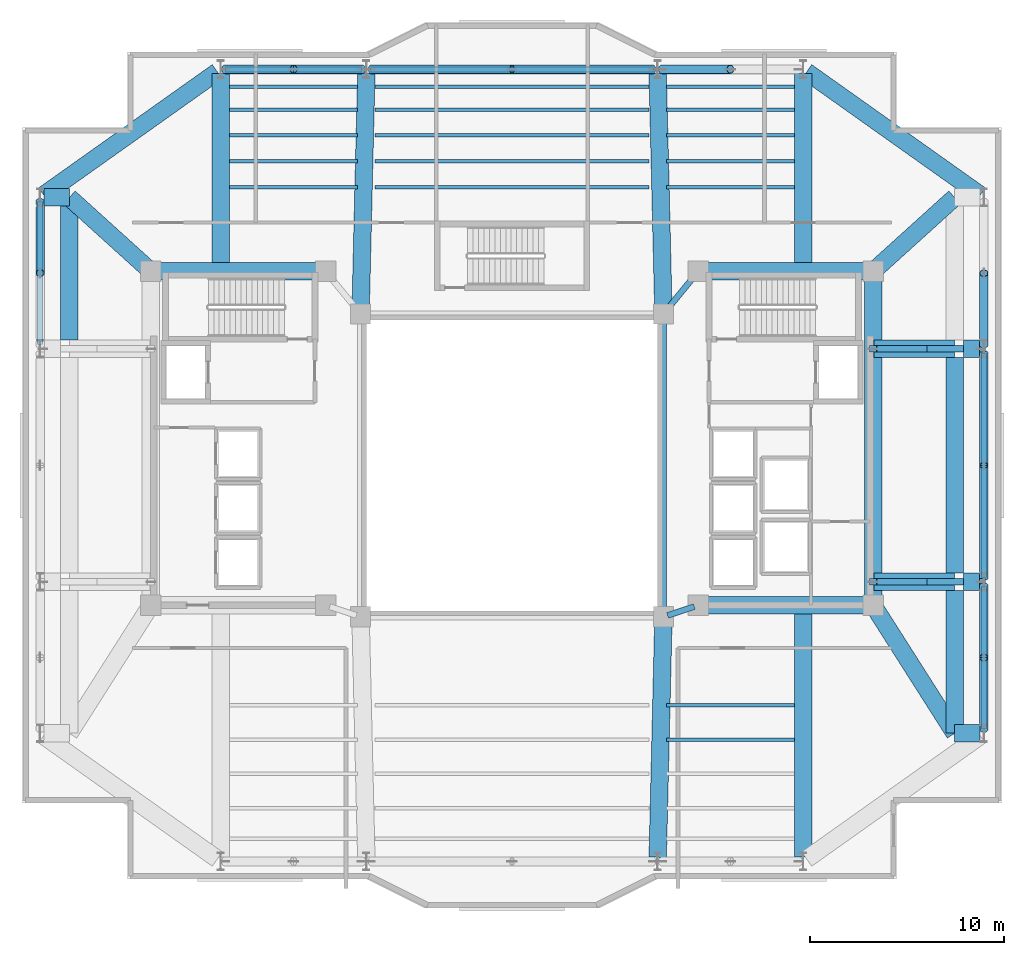
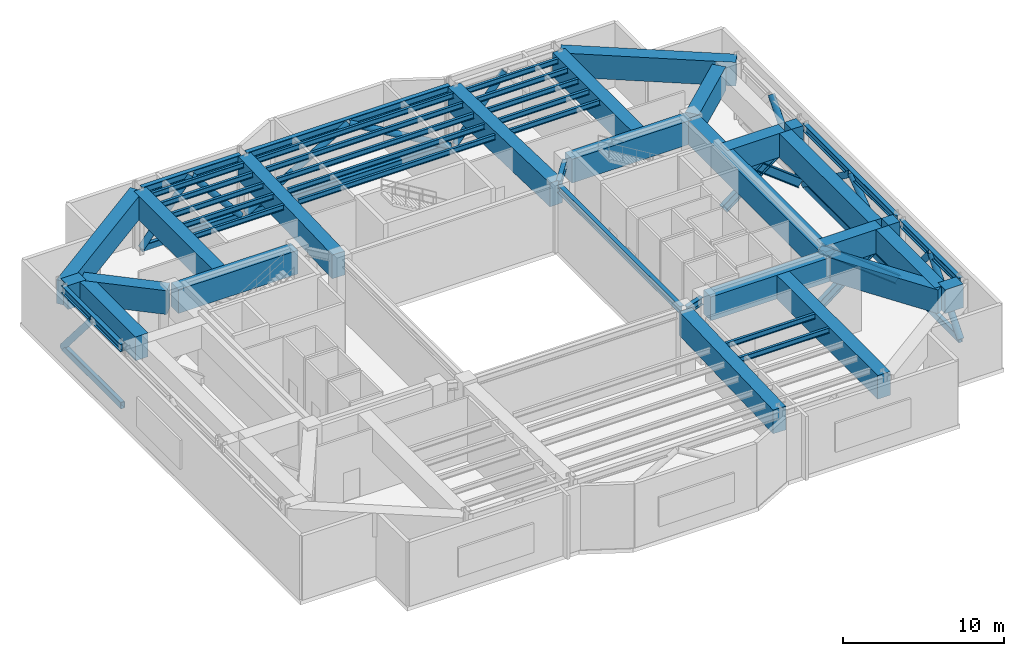
# One storey, part 2 of 13: 49 beams, 20 members.
"""IFC4 building model written with IfcOpenShell, lengths in metres."""

from ifc_helpers import new_model, si_unit, direction, frame, origin, origin_2d, place, context, subcontext, project, spatial, rectangle, hollow_rectangle, hollow_circle, i_section, extrude, material, material_profile, profile_set, type_object, element, save


model = new_model("IFC4")

# Units and contexts
model_context = context("Model", 3, precision=1e-05, world=origin(), true_north=direction((0.0, 1.0)))
body_context = subcontext(model_context, "Body", "Model", "MODEL_VIEW")
ifc_project = project(units=[si_unit("LENGTHUNIT", "METRE"), si_unit("AREAUNIT", "SQUARE_METRE"), si_unit("VOLUMEUNIT", "CUBIC_METRE"), si_unit("PLANEANGLEUNIT", "RADIAN"), si_unit("MASSUNIT", "GRAM", prefix="KILO")], contexts=[model_context])

# Site, building, storey
site_placement = place(None, origin())
site = spatial("IfcSite", under=ifc_project, at=site_placement, CompositionType="ELEMENT")
building_placement = place(site_placement, origin())
building = spatial("IfcBuilding", under=site, at=building_placement, Name="Tarnavaz Court Tower", CompositionType="ELEMENT")
storey_placement = place(building_placement, frame((0.0, 0.0, 181.800048828125)))
storey = spatial("IfcBuildingStorey", under=building, at=storey_placement, Name="L49", CompositionType="ELEMENT", Elevation=181.800048828125)

# Beams
ifc_material_1 = material(Name="Steel S460", Category="steel")
ifc_material_profile_1 = material_profile(ifc_material_1, i_section(OverallWidth=0.305908203125, OverallDepth=0.572021484375, WebThickness=0.02099609375, FlangeThickness=0.0400390625, FilletRadius=0.027099609375, at=origin_2d()), Name="HEM 550")
ifc_profile_set_1 = profile_set([ifc_material_profile_1], Name="Steel S460")
beam_type_1 = type_object("IfcBeamType", Name="BM-BT-HEM550", PredefinedType="USERDEFINED", material=ifc_profile_set_1)
beam_1_placement = place(storey_placement, frame((7.800048828125, -7.580078125, 4.56396484375), z_axis=(0.0, 1.0, 0.0), x_axis=(-1.0, 0.0, 0.0)))
element("IfcBeam", 1, at=beam_1_placement, inside=storey, type_object=beam_type_1, Name="L49 Beam IN-IW-SE-IW-NE", ObjectType="GIRDER", PredefinedType="USERDEFINED", context=body_context, shape_type="SweptSolid", body=[
    extrude(i_section(OverallWidth=0.305908203125, OverallDepth=0.572021484375, WebThickness=0.02099609375, FlangeThickness=0.0400390625, FilletRadius=0.027099609375, at=origin_2d()), origin(), (0.0, 0.0, 1.0), 15.16015625),
])
beam_2_placement = place(storey_placement, frame((9.391357421875, -7.26953125, 4.56396484375), z_axis=(-0.948666544706, -0.316278021615, 0.0), x_axis=(0.316278021615, -0.948666544706, 0.0)))
element("IfcBeam", 2, at=beam_2_placement, inside=storey, type_object=beam_type_1, Name="L49 Beam IN-CE-SI-IW-SE", ObjectType="GIRDER", PredefinedType="USERDEFINED", context=body_context, shape_type="SweptSolid", body=[
    extrude(i_section(OverallWidth=0.305908203125, OverallDepth=0.572021484375, WebThickness=0.02099609375, FlangeThickness=0.0400390625, FilletRadius=0.027099609375, at=origin_2d()), origin(), (0.0, 0.0, 1.0), 1.457275390625),
])
beam_3_placement = place(storey_placement, frame((9.460693359375, 9.82958984375, 4.56396484375), z_axis=(-0.633282058357, -0.773921077735, 0.0), x_axis=(0.773921077735, -0.633282058357, 0.0)))
element("IfcBeam", 3, at=beam_3_placement, inside=storey, type_object=beam_type_1, Name="L49 Beam IN-CE-NI-IW-NE", ObjectType="GIRDER", PredefinedType="USERDEFINED", context=body_context, shape_type="SweptSolid", body=[
    extrude(i_section(OverallWidth=0.305908203125, OverallDepth=0.572021484375, WebThickness=0.02099609375, FlangeThickness=0.0400390625, FilletRadius=0.027099609375, at=origin_2d()), origin(), (0.0, 0.0, 1.0), 2.402587890625),
])
beam_4_placement = place(storey_placement, frame((-14.780029296875, 20.39990234375, 4.56396484375), z_axis=(1.0, 0.0, 0.0), x_axis=(0.0, 1.0, 0.0)))
element("IfcBeam", 4, at=beam_4_placement, inside=storey, type_object=beam_type_1, Name="L49 Beam PR-PN-1-PN-2", ObjectType="GIRDER", PredefinedType="USERDEFINED", context=body_context, shape_type="SweptSolid", body=[
    extrude(i_section(OverallWidth=0.305908203125, OverallDepth=0.572021484375, WebThickness=0.02099609375, FlangeThickness=0.0400390625, FilletRadius=0.027099609375, at=origin_2d()), origin(), (0.0, 0.0, 1.0), 7.06005859375),
])
beam_5_placement = place(storey_placement, frame((-7.280029296875, 20.39990234375, 4.56396484375), z_axis=(1.0, 0.0, 0.0), x_axis=(0.0, 1.0, 0.0)))
element("IfcBeam", 5, at=beam_5_placement, inside=storey, type_object=beam_type_1, Name="L49 Beam PR-PN-2-PN-3", ObjectType="GIRDER", PredefinedType="USERDEFINED", context=body_context, shape_type="SweptSolid", body=[
    extrude(i_section(OverallWidth=0.305908203125, OverallDepth=0.572021484375, WebThickness=0.02099609375, FlangeThickness=0.0400390625, FilletRadius=0.027099609375, at=origin_2d()), origin(), (0.0, 0.0, 1.0), 14.56005859375),
])
beam_6_placement = place(storey_placement, frame((24.300048828125, -13.580078125, 4.56396484375), z_axis=(0.0, 1.0, 0.0), x_axis=(-1.0, 0.0, 0.0)))
element("IfcBeam", 6, at=beam_6_placement, inside=storey, type_object=beam_type_1, Name="L49 Beam PR-PE-1-PE-2", ObjectType="GIRDER", PredefinedType="USERDEFINED", context=body_context, shape_type="SweptSolid", body=[
    extrude(i_section(OverallWidth=0.305908203125, OverallDepth=0.572021484375, WebThickness=0.02099609375, FlangeThickness=0.0400390625, FilletRadius=0.027099609375, at=origin_2d()), origin(), (0.0, 0.0, 1.0), 7.360107421875),
])
beam_7_placement = place(storey_placement, frame((24.300048828125, -5.780029296875, 4.56396484375), z_axis=(0.0, 1.0, 0.0), x_axis=(-1.0, 0.0, 0.0)))
element("IfcBeam", 7, at=beam_7_placement, inside=storey, type_object=beam_type_1, Name="L49 Beam PR-PE-2-PE-3", ObjectType="GIRDER", PredefinedType="USERDEFINED", context=body_context, shape_type="SweptSolid", body=[
    extrude(i_section(OverallWidth=0.305908203125, OverallDepth=0.572021484375, WebThickness=0.02099609375, FlangeThickness=0.0400390625, FilletRadius=0.027099609375, at=origin_2d()), origin(), (0.0, 0.0, 1.0), 11.56005859375),
])
beam_8_placement = place(storey_placement, frame((-24.300048828125, 6.219970703125, 4.56396484375), z_axis=(0.0, 1.0, 0.0), x_axis=(-1.0, 0.0, 0.0)))
element("IfcBeam", 8, at=beam_8_placement, inside=storey, type_object=beam_type_1, Name="L49 Beam PR-PW-3-PW-4", ObjectType="GIRDER", PredefinedType="USERDEFINED", context=body_context, shape_type="SweptSolid", body=[
    extrude(i_section(OverallWidth=0.305908203125, OverallDepth=0.572021484375, WebThickness=0.02099609375, FlangeThickness=0.0400390625, FilletRadius=0.027099609375, at=origin_2d()), origin(), (0.0, 0.0, 1.0), 7.360107421875),
])
ifc_material_2 = material(Name="Steel S355", Category="steel")
ifc_material_profile_2 = material_profile(ifc_material_2, i_section(OverallWidth=0.179931640625, OverallDepth=0.39990234375, WebThickness=0.008544921875, FlangeThickness=0.013427734375, FilletRadius=0.02099609375, at=origin_2d()), Name="IPE 400")
ifc_profile_set_2 = profile_set([ifc_material_profile_2], Name="Steel S355")
beam_type_2 = type_object("IfcBeamType", Name="BM-J-IPE400", PredefinedType="JOIST", material=ifc_profile_set_2)
beam_9_placement = place(storey_placement, frame((-14.550048828125, 14.33203125, 4.64990234375), z_axis=(1.0, 0.0, 0.0), x_axis=(0.0, 1.0, 0.0)))
element("IfcBeam", 9, at=beam_9_placement, inside=storey, type_object=beam_type_2, Name="L49 Beam JN1-1", PredefinedType="JOIST", context=body_context, shape_type="SweptSolid", body=[
    extrude(i_section(OverallWidth=0.179931640625, OverallDepth=0.39990234375, WebThickness=0.008544921875, FlangeThickness=0.013427734375, FilletRadius=0.02099609375, at=origin_2d()), origin(), (0.0, 0.0, 1.0), 6.60009765625),
])
beam_10_placement = place(storey_placement, frame((-7.050048828125, 14.33203125, 4.64990234375), z_axis=(1.0, 0.0, 0.0), x_axis=(0.0, 1.0, 0.0)))
element("IfcBeam", 10, at=beam_10_placement, inside=storey, type_object=beam_type_2, Name="L49 Beam JN1-2", PredefinedType="JOIST", context=body_context, shape_type="SweptSolid", body=[
    extrude(i_section(OverallWidth=0.179931640625, OverallDepth=0.39990234375, WebThickness=0.008544921875, FlangeThickness=0.013427734375, FilletRadius=0.02099609375, at=origin_2d()), origin(), (0.0, 0.0, 1.0), 14.10009765625),
])
for number, where, z_axis, x_axis, name in (
    (11, (7.949951171875, 14.33203125, 4.64990234375), (1.0, 0.0, 0.0), (0.0, 1.0, 0.0), "L49 Beam JN1-3"),
    (12, (7.949951171875, -12.364013671875, 4.64990234375), (1.0, 0.0, 0.0), (0.0, 1.0, 0.0), "L49 Beam JS1-3"),
    (13, (-14.550048828125, 15.6640625, 4.64990234375), (1.0, 0.0, 0.0), (0.0, 1.0, 0.0), "L49 Beam JN2-1"),
):
    element("IfcBeam", number, at=place(storey_placement, frame(where, z_axis=z_axis, x_axis=x_axis)), inside=storey, type_object=beam_type_2, Name=name, PredefinedType="JOIST", context=body_context, shape_type="SweptSolid", body=[
        extrude(i_section(OverallWidth=0.179931640625, OverallDepth=0.39990234375, WebThickness=0.008544921875, FlangeThickness=0.013427734375, FilletRadius=0.02099609375, at=origin_2d()), origin(), (0.0, 0.0, 1.0), 6.60009765625),
    ])
beam_11_placement = place(storey_placement, frame((-7.050048828125, 15.6640625, 4.64990234375), z_axis=(1.0, 0.0, 0.0), x_axis=(0.0, 1.0, 0.0)))
element("IfcBeam", 14, at=beam_11_placement, inside=storey, type_object=beam_type_2, Name="L49 Beam JN2-2", PredefinedType="JOIST", context=body_context, shape_type="SweptSolid", body=[
    extrude(i_section(OverallWidth=0.179931640625, OverallDepth=0.39990234375, WebThickness=0.008544921875, FlangeThickness=0.013427734375, FilletRadius=0.02099609375, at=origin_2d()), origin(), (0.0, 0.0, 1.0), 14.10009765625),
])
for number, where, z_axis, x_axis, name in (
    (15, (7.949951171875, 15.6640625, 4.64990234375), (1.0, 0.0, 0.0), (0.0, 1.0, 0.0), "L49 Beam JN2-3"),
    (16, (7.949951171875, -14.1279296875, 4.64990234375), (1.0, 0.0, 0.0), (0.0, 1.0, 0.0), "L49 Beam JS2-3"),
    (17, (-14.550048828125, 16.99609375, 4.64990234375), (1.0, 0.0, 0.0), (0.0, 1.0, 0.0), "L49 Beam JN3-1"),
):
    element("IfcBeam", number, at=place(storey_placement, frame(where, z_axis=z_axis, x_axis=x_axis)), inside=storey, type_object=beam_type_2, Name=name, PredefinedType="JOIST", context=body_context, shape_type="SweptSolid", body=[
        extrude(i_section(OverallWidth=0.179931640625, OverallDepth=0.39990234375, WebThickness=0.008544921875, FlangeThickness=0.013427734375, FilletRadius=0.02099609375, at=origin_2d()), origin(), (0.0, 0.0, 1.0), 6.60009765625),
    ])
beam_12_placement = place(storey_placement, frame((-7.050048828125, 16.99609375, 4.64990234375), z_axis=(1.0, 0.0, 0.0), x_axis=(0.0, 1.0, 0.0)))
element("IfcBeam", 18, at=beam_12_placement, inside=storey, type_object=beam_type_2, Name="L49 Beam JN3-2", PredefinedType="JOIST", context=body_context, shape_type="SweptSolid", body=[
    extrude(i_section(OverallWidth=0.179931640625, OverallDepth=0.39990234375, WebThickness=0.008544921875, FlangeThickness=0.013427734375, FilletRadius=0.02099609375, at=origin_2d()), origin(), (0.0, 0.0, 1.0), 14.10009765625),
])
for number, where, z_axis, x_axis, name in (
    (19, (7.949951171875, 16.99609375, 4.64990234375), (1.0, 0.0, 0.0), (0.0, 1.0, 0.0), "L49 Beam JN3-3"),
    (20, (-14.550048828125, 18.327880859375, 4.64990234375), (1.0, 0.0, 0.0), (0.0, 1.0, 0.0), "L49 Beam JN4-1"),
):
    element("IfcBeam", number, at=place(storey_placement, frame(where, z_axis=z_axis, x_axis=x_axis)), inside=storey, type_object=beam_type_2, Name=name, PredefinedType="JOIST", context=body_context, shape_type="SweptSolid", body=[
        extrude(i_section(OverallWidth=0.179931640625, OverallDepth=0.39990234375, WebThickness=0.008544921875, FlangeThickness=0.013427734375, FilletRadius=0.02099609375, at=origin_2d()), origin(), (0.0, 0.0, 1.0), 6.60009765625),
    ])
beam_13_placement = place(storey_placement, frame((-7.050048828125, 18.327880859375, 4.64990234375), z_axis=(1.0, 0.0, 0.0), x_axis=(0.0, 1.0, 0.0)))
element("IfcBeam", 21, at=beam_13_placement, inside=storey, type_object=beam_type_2, Name="L49 Beam JN4-2", PredefinedType="JOIST", context=body_context, shape_type="SweptSolid", body=[
    extrude(i_section(OverallWidth=0.179931640625, OverallDepth=0.39990234375, WebThickness=0.008544921875, FlangeThickness=0.013427734375, FilletRadius=0.02099609375, at=origin_2d()), origin(), (0.0, 0.0, 1.0), 14.10009765625),
])
for number, where, z_axis, x_axis, name in (
    (22, (7.949951171875, 18.327880859375, 4.64990234375), (1.0, 0.0, 0.0), (0.0, 1.0, 0.0), "L49 Beam JN4-3"),
    (23, (-14.550048828125, 19.511962890625, 4.64990234375), (1.0, 0.0, 0.0), (0.0, 1.0, 0.0), "L49 Beam JN5-1"),
):
    element("IfcBeam", number, at=place(storey_placement, frame(where, z_axis=z_axis, x_axis=x_axis)), inside=storey, type_object=beam_type_2, Name=name, PredefinedType="JOIST", context=body_context, shape_type="SweptSolid", body=[
        extrude(i_section(OverallWidth=0.179931640625, OverallDepth=0.39990234375, WebThickness=0.008544921875, FlangeThickness=0.013427734375, FilletRadius=0.02099609375, at=origin_2d()), origin(), (0.0, 0.0, 1.0), 6.60009765625),
    ])
beam_14_placement = place(storey_placement, frame((-7.050048828125, 19.511962890625, 4.64990234375), z_axis=(1.0, 0.0, 0.0), x_axis=(0.0, 1.0, 0.0)))
element("IfcBeam", 24, at=beam_14_placement, inside=storey, type_object=beam_type_2, Name="L49 Beam JN5-2", PredefinedType="JOIST", context=body_context, shape_type="SweptSolid", body=[
    extrude(i_section(OverallWidth=0.179931640625, OverallDepth=0.39990234375, WebThickness=0.008544921875, FlangeThickness=0.013427734375, FilletRadius=0.02099609375, at=origin_2d()), origin(), (0.0, 0.0, 1.0), 14.10009765625),
])
beam_15_placement = place(storey_placement, frame((7.949951171875, 19.511962890625, 4.64990234375), z_axis=(1.0, 0.0, 0.0), x_axis=(0.0, 1.0, 0.0)))
element("IfcBeam", 25, at=beam_15_placement, inside=storey, type_object=beam_type_2, Name="L49 Beam JN5-3", PredefinedType="JOIST", context=body_context, shape_type="SweptSolid", body=[
    extrude(i_section(OverallWidth=0.179931640625, OverallDepth=0.39990234375, WebThickness=0.008544921875, FlangeThickness=0.013427734375, FilletRadius=0.02099609375, at=origin_2d()), origin(), (0.0, 0.0, 1.0), 6.60009765625),
])
ifc_material_3 = material(Name="Concrete C50/60", Category="concrete")
ifc_material_profile_3 = material_profile(ifc_material_3, rectangle(XDim=0.89990234375, YDim=1.800048828125, at=origin_2d()), Name="RC 900X1800")
ifc_profile_set_3 = profile_set([ifc_material_profile_3], Name="Concrete C50/60")
beam_type_3 = type_object("IfcBeamType", Name="BM-TG1800", PredefinedType="USERDEFINED", material=ifc_profile_set_3)
for number, where, z_axis, x_axis, name in (
    (26, (-18.3798828125, 10.0, 3.949951171875), (1.0, 0.0, 0.0), (0.0, 1.0, 0.0), "L49 Beam IN-CW-NO-CW-NI"),
    (27, (18.3798828125, -7.199951171875, 3.949951171875), (-1.0, 0.0, 0.0), (0.0, -1.0, 0.0), "L49 Beam IN-CE-SO-CE-SI"),
    (28, (18.3798828125, 10.0, 3.949951171875), (-1.0, 0.0, 0.0), (0.0, -1.0, 0.0), "L49 Beam IN-CE-NO-CE-NI"),
):
    element("IfcBeam", number, at=place(storey_placement, frame(where, z_axis=z_axis, x_axis=x_axis)), inside=storey, type_object=beam_type_3, Name=name, ObjectType="GIRDER", PredefinedType="USERDEFINED", context=body_context, shape_type="SweptSolid", body=[
        extrude(rectangle(XDim=0.89990234375, YDim=1.800048828125, at=origin_2d()), origin(), (0.0, 0.0, 1.0), 8.559814453125),
    ])
beam_16_placement = place(storey_placement, frame((18.60009765625, -6.97998046875, 3.949951171875), z_axis=(0.0, 1.0, 0.0), x_axis=(-1.0, 0.0, 0.0)))
element("IfcBeam", 29, at=beam_16_placement, inside=storey, type_object=beam_type_3, Name="L49 Beam IN-CE-SO-CE-NO", ObjectType="GIRDER", PredefinedType="USERDEFINED", context=body_context, shape_type="SweptSolid", body=[
    extrude(rectangle(XDim=0.89990234375, YDim=1.800048828125, at=origin_2d()), origin(), (0.0, 0.0, 1.0), 16.760009765625),
])
for number, where, z_axis, x_axis, name in (
    (30, (15.179443359375, 20.272705078125, 3.949951171875), (0.815502059396, -0.57875417158, 0.0), (0.57875417158, 0.815502059396, 0.0), "L49 Beam PR-PN-4-PE-4"),
    (31, (-24.12060546875, 13.92724609375, 3.949951171875), (0.815502059396, 0.57875417158, 0.0), (-0.57875417158, 0.815502059396, 0.0), "L49 Beam PR-PW-4-PN-1"),
):
    element("IfcBeam", number, at=place(storey_placement, frame(where, z_axis=z_axis, x_axis=x_axis)), inside=storey, type_object=beam_type_3, Name=name, ObjectType="GIRDER", PredefinedType="USERDEFINED", context=body_context, shape_type="SweptSolid", body=[
        extrude(rectangle(XDim=0.89990234375, YDim=1.800048828125, at=origin_2d()), origin(), (0.0, 0.0, 1.0), 10.964111328125),
    ])
beam_17_placement = place(storey_placement, frame((-15.0, 10.0400390625, 3.949951171875), z_axis=(0.0, 1.0, 0.0), x_axis=(-1.0, 0.0, 0.0)))
element("IfcBeam", 32, at=beam_17_placement, inside=storey, type_object=beam_type_3, Name="L49 Beam RG-01", ObjectType="GIRDER", PredefinedType="USERDEFINED", context=body_context, shape_type="SweptSolid", body=[
    extrude(rectangle(XDim=0.89990234375, YDim=1.800048828125, at=origin_2d()), origin(), (0.0, 0.0, 1.0), 10.139892578125),
])
for number, where, z_axis, x_axis, name in (
    (33, (-7.794921875, 8.02001953125, 3.949951171875), (0.023824748444, 0.999716150395, 0.0), (-0.999716150395, 0.023824748444, 0.0), "L49 Beam RG-02"),
    (34, (7.794921875, 8.02001953125, 3.949951171875), (-0.023824748444, 0.999716150395, 0.0), (-0.999716150395, -0.023824748444, 0.0), "L49 Beam RG-03"),
):
    element("IfcBeam", number, at=place(storey_placement, frame(where, z_axis=z_axis, x_axis=x_axis)), inside=storey, type_object=beam_type_3, Name=name, ObjectType="GIRDER", PredefinedType="USERDEFINED", context=body_context, shape_type="SweptSolid", body=[
        extrude(rectangle(XDim=0.89990234375, YDim=1.800048828125, at=origin_2d()), origin(), (0.0, 0.0, 1.0), 12.16357421875),
    ])
beam_18_placement = place(storey_placement, frame((15.0, 10.0400390625, 3.949951171875), z_axis=(0.0, 1.0, 0.0), x_axis=(-1.0, 0.0, 0.0)))
element("IfcBeam", 35, at=beam_18_placement, inside=storey, type_object=beam_type_3, Name="L49 Beam RG-04", ObjectType="GIRDER", PredefinedType="USERDEFINED", context=body_context, shape_type="SweptSolid", body=[
    extrude(rectangle(XDim=0.89990234375, YDim=1.800048828125, at=origin_2d()), origin(), (0.0, 0.0, 1.0), 10.139892578125),
])
beam_19_placement = place(storey_placement, frame((7.794921875, -8.02001953125, 3.949951171875), z_axis=(-0.023824748444, -0.999716150395, 0.0), x_axis=(0.999716150395, -0.023824748444, 0.0)))
element("IfcBeam", 36, at=beam_19_placement, inside=storey, type_object=beam_type_3, Name="L49 Beam RG-07", ObjectType="GIRDER", PredefinedType="USERDEFINED", context=body_context, shape_type="SweptSolid", body=[
    extrude(rectangle(XDim=0.89990234375, YDim=1.800048828125, at=origin_2d()), origin(), (0.0, 0.0, 1.0), 12.16357421875),
])
beam_20_placement = place(storey_placement, frame((15.0, -7.239990234375, 3.949951171875), z_axis=(0.0, -1.0, 0.0), x_axis=(1.0, 0.0, 0.0)))
element("IfcBeam", 37, at=beam_20_placement, inside=storey, type_object=beam_type_3, Name="L49 Beam RG-08", ObjectType="GIRDER", PredefinedType="USERDEFINED", context=body_context, shape_type="SweptSolid", body=[
    extrude(rectangle(XDim=0.89990234375, YDim=1.800048828125, at=origin_2d()), origin(), (0.0, 0.0, 1.0), 12.93994140625),
])
beam_21_placement = place(storey_placement, frame((18.639892578125, -6.0, 3.949951171875), z_axis=(1.0, 0.0, 0.0), x_axis=(0.0, 1.0, 0.0)))
element("IfcBeam", 38, at=beam_21_placement, inside=storey, type_object=beam_type_3, Name="L49 Beam RG-09", ObjectType="GIRDER", PredefinedType="USERDEFINED", context=body_context, shape_type="SweptSolid", body=[
    extrude(rectangle(XDim=0.89990234375, YDim=1.800048828125, at=origin_2d()), origin(), (0.0, 0.0, 1.0), 4.16015625),
])
beam_22_placement = place(storey_placement, frame((23.25, -6.0, 3.949951171875), z_axis=(1.0, 0.0, 0.0), x_axis=(0.0, 1.0, 0.0)))
element("IfcBeam", 39, at=beam_22_placement, inside=storey, type_object=beam_type_3, Name="L49 Beam RG-09B", ObjectType="GIRDER", PredefinedType="USERDEFINED", context=body_context, shape_type="SweptSolid", body=[
    extrude(rectangle(XDim=0.89990234375, YDim=1.800048828125, at=origin_2d()), origin(), (0.0, 0.0, 1.0), 0.830078125),
])
beam_23_placement = place(storey_placement, frame((18.639892578125, 6.0, 3.949951171875), z_axis=(1.0, 0.0, 0.0), x_axis=(0.0, 1.0, 0.0)))
element("IfcBeam", 40, at=beam_23_placement, inside=storey, type_object=beam_type_3, Name="L49 Beam RG-10", ObjectType="GIRDER", PredefinedType="USERDEFINED", context=body_context, shape_type="SweptSolid", body=[
    extrude(rectangle(XDim=0.89990234375, YDim=1.800048828125, at=origin_2d()), origin(), (0.0, 0.0, 1.0), 4.16015625),
])
beam_24_placement = place(storey_placement, frame((23.25, 6.0, 3.949951171875), z_axis=(1.0, 0.0, 0.0), x_axis=(0.0, 1.0, 0.0)))
element("IfcBeam", 41, at=beam_24_placement, inside=storey, type_object=beam_type_3, Name="L49 Beam RG-10B", ObjectType="GIRDER", PredefinedType="USERDEFINED", context=body_context, shape_type="SweptSolid", body=[
    extrude(rectangle(XDim=0.89990234375, YDim=1.800048828125, at=origin_2d()), origin(), (0.0, 0.0, 1.0), 0.830078125),
])
beam_25_placement = place(storey_placement, frame((18.70751953125, -7.36865234375, 3.949951171875), z_axis=(0.536858913706, -0.843672037449, 0.0), x_axis=(0.843672037449, 0.536858913706, 0.0)))
element("IfcBeam", 42, at=beam_25_placement, inside=storey, type_object=beam_type_3, Name="L49 Beam TG-SET-ES", ObjectType="GIRDER", PredefinedType="USERDEFINED", context=body_context, shape_type="SweptSolid", body=[
    extrude(rectangle(XDim=0.89990234375, YDim=1.800048828125, at=origin_2d()), origin(), (0.0, 0.0, 1.0), 7.623046875),
])
beam_26_placement = place(storey_placement, frame((22.800048828125, -13.800048828125, 3.949951171875), z_axis=(1.0, 0.0, 0.0), x_axis=(0.0, 1.0, 0.0)))
element("IfcBeam", 43, at=beam_26_placement, inside=storey, type_object=beam_type_3, Name="L49 Beam TG-OUT-ES", ObjectType="GIRDER", PredefinedType="USERDEFINED", context=body_context, shape_type="SweptSolid", body=[
    extrude(rectangle(XDim=0.89990234375, YDim=1.800048828125, at=origin_2d()), origin(), (0.0, 0.0, 1.0), 1.300048828125),
])
beam_27_placement = place(storey_placement, frame((18.748291015625, 10.13427734375, 3.949951171875), z_axis=(0.741545306046, 0.670902794063, 0.0), x_axis=(-0.670902794063, 0.741545306046, 0.0)))
element("IfcBeam", 44, at=beam_27_placement, inside=storey, type_object=beam_type_3, Name="L49 Beam TG-SET-EN", ObjectType="GIRDER", PredefinedType="USERDEFINED", context=body_context, shape_type="SweptSolid", body=[
    extrude(rectangle(XDim=0.89990234375, YDim=1.800048828125, at=origin_2d()), origin(), (0.0, 0.0, 1.0), 5.4638671875),
])
beam_28_placement = place(storey_placement, frame((22.800048828125, -13.780029296875, 3.949951171875), z_axis=(0.0, 1.0, 0.0), x_axis=(-1.0, 0.0, 0.0)))
element("IfcBeam", 45, at=beam_28_placement, inside=storey, type_object=beam_type_3, Name="L49 Beam TG-TIE-E1", ObjectType="GIRDER", PredefinedType="USERDEFINED", context=body_context, shape_type="SweptSolid", body=[
    extrude(rectangle(XDim=0.89990234375, YDim=1.800048828125, at=origin_2d()), origin(), (0.0, 0.0, 1.0), 7.330078125),
])
beam_29_placement = place(storey_placement, frame((22.800048828125, -5.550048828125, 3.949951171875), z_axis=(0.0, 1.0, 0.0), x_axis=(-1.0, 0.0, 0.0)))
element("IfcBeam", 46, at=beam_29_placement, inside=storey, type_object=beam_type_3, Name="L49 Beam TG-TIE-E2", ObjectType="GIRDER", PredefinedType="USERDEFINED", context=body_context, shape_type="SweptSolid", body=[
    extrude(rectangle(XDim=0.89990234375, YDim=1.800048828125, at=origin_2d()), origin(), (0.0, 0.0, 1.0), 11.10009765625),
])
beam_30_placement = place(storey_placement, frame((-18.748291015625, 10.13427734375, 3.949951171875), z_axis=(-0.741545306046, 0.670902794063, 0.0), x_axis=(-0.670902794063, -0.741545306046, 0.0)))
element("IfcBeam", 47, at=beam_30_placement, inside=storey, type_object=beam_type_3, Name="L49 Beam TG-SET-WN", ObjectType="GIRDER", PredefinedType="USERDEFINED", context=body_context, shape_type="SweptSolid", body=[
    extrude(rectangle(XDim=0.89990234375, YDim=1.800048828125, at=origin_2d()), origin(), (0.0, 0.0, 1.0), 5.4638671875),
])
beam_31_placement = place(storey_placement, frame((-22.800048828125, 13.800048828125, 3.949951171875), z_axis=(-1.0, 0.0, 0.0), x_axis=(0.0, -1.0, 0.0)))
element("IfcBeam", 48, at=beam_31_placement, inside=storey, type_object=beam_type_3, Name="L49 Beam TG-OUT-WN", ObjectType="GIRDER", PredefinedType="USERDEFINED", context=body_context, shape_type="SweptSolid", body=[
    extrude(rectangle(XDim=0.89990234375, YDim=1.800048828125, at=origin_2d()), origin(), (0.0, 0.0, 1.0), 1.300048828125),
])
beam_32_placement = place(storey_placement, frame((-22.800048828125, 6.449951171875, 3.949951171875), z_axis=(0.0, 1.0, 0.0), x_axis=(-1.0, 0.0, 0.0)))
element("IfcBeam", 49, at=beam_32_placement, inside=storey, type_object=beam_type_3, Name="L49 Beam TG-TIE-W3", ObjectType="GIRDER", PredefinedType="USERDEFINED", context=body_context, shape_type="SweptSolid", body=[
    extrude(rectangle(XDim=0.89990234375, YDim=1.800048828125, at=origin_2d()), origin(), (0.0, 0.0, 1.0), 7.330078125),
])

# Members
ifc_material_profile_4 = material_profile(ifc_material_1, hollow_circle(Radius=0.228515625, WallThickness=0.02001953125, at=origin_2d()), Name="CHS 457X20")
ifc_profile_set_4 = profile_set([ifc_material_profile_4], Name="Steel S460")
member_type_1 = type_object("IfcMemberType", Name="MB-BT-CHS457", PredefinedType="BRACE", material=ifc_profile_set_4)
for number, where, z_axis, x_axis, name in (
    (50, (-14.780029296875, 20.39990234375, 0.199951171875), (0.634508247424, 0.0, 0.772916091145), (0.0, 1.0, 0.0), "L49 Belt Truss Diagonal 01A"),
    (51, (-7.719970703125, 20.39990234375, 0.199951171875), (-0.634508247424, 0.0, 0.772916091145), (0.0, -1.0, 0.0), "L49 Belt Truss Diagonal 01B"),
):
    element("IfcMember", number, at=place(storey_placement, frame(where, z_axis=z_axis, x_axis=x_axis)), inside=storey, type_object=member_type_1, Name=name, PredefinedType="BRACE", context=body_context, shape_type="SweptSolid", body=[
        extrude(hollow_circle(Radius=0.228515625, WallThickness=0.02001953125, at=origin_2d()), origin(), (0.0, 0.0, 1.0), 5.5634765625),
    ])
for number, where, z_axis, x_axis, name in (
    (52, (-7.280029296875, 20.39990234375, 0.199951171875), (0.861019063822, 0.0, 0.508572680878), (0.0, 1.0, 0.0), "L49 Belt Truss Diagonal 02A"),
    (53, (7.280029296875, 20.39990234375, 0.199951171875), (-0.861019063822, 0.0, 0.508572680878), (0.0, -1.0, 0.0), "L49 Belt Truss Diagonal 02B"),
):
    element("IfcMember", number, at=place(storey_placement, frame(where, z_axis=z_axis, x_axis=x_axis)), inside=storey, type_object=member_type_1, Name=name, PredefinedType="BRACE", context=body_context, shape_type="SweptSolid", body=[
        extrude(hollow_circle(Radius=0.228515625, WallThickness=0.02001953125, at=origin_2d()), origin(), (0.0, 0.0, 1.0), 8.455078125),
    ])
member_1_placement = place(storey_placement, frame((7.719970703125, 20.39990234375, 0.199951171875), z_axis=(0.634508247424, 0.0, 0.772916091145), x_axis=(0.0, 1.0, 0.0)))
element("IfcMember", 54, at=member_1_placement, inside=storey, type_object=member_type_1, Name="L49 Belt Truss Diagonal 03A", PredefinedType="BRACE", context=body_context, shape_type="SweptSolid", body=[
    extrude(hollow_circle(Radius=0.228515625, WallThickness=0.02001953125, at=origin_2d()), origin(), (0.0, 0.0, 1.0), 5.5634765625),
])
member_2_placement = place(storey_placement, frame((24.300048828125, -13.580078125, 0.199951171875), z_axis=(0.0, 0.650222818954, 0.759743565758), x_axis=(-1.0, 0.0, 0.0)))
element("IfcMember", 55, at=member_2_placement, inside=storey, type_object=member_type_1, Name="L49 Belt Truss Diagonal 07A", PredefinedType="BRACE", context=body_context, shape_type="SweptSolid", body=[
    extrude(hollow_circle(Radius=0.228515625, WallThickness=0.02001953125, at=origin_2d()), origin(), (0.0, 0.0, 1.0), 5.659912109375),
])
member_3_placement = place(storey_placement, frame((24.300048828125, -6.219970703125, 0.199951171875), z_axis=(0.0, -0.650197919718, 0.759764874941), x_axis=(1.0, 0.0, 0.0)))
element("IfcMember", 56, at=member_3_placement, inside=storey, type_object=member_type_1, Name="L49 Belt Truss Diagonal 07B", PredefinedType="BRACE", context=body_context, shape_type="SweptSolid", body=[
    extrude(hollow_circle(Radius=0.228515625, WallThickness=0.02001953125, at=origin_2d()), origin(), (0.0, 0.0, 1.0), 5.65966796875),
])
for number, where, z_axis, x_axis, name in (
    (57, (24.300048828125, -5.780029296875, 0.199951171875), (0.0, 0.802324180514, 0.596888523396), (-1.0, 0.0, 0.0), "L49 Belt Truss Diagonal 08A"),
    (58, (24.300048828125, 5.780029296875, 0.199951171875), (0.0, -0.802324180514, 0.596888523396), (1.0, 0.0, 0.0), "L49 Belt Truss Diagonal 08B"),
):
    element("IfcMember", number, at=place(storey_placement, frame(where, z_axis=z_axis, x_axis=x_axis)), inside=storey, type_object=member_type_1, Name=name, PredefinedType="BRACE", context=body_context, shape_type="SweptSolid", body=[
        extrude(hollow_circle(Radius=0.228515625, WallThickness=0.02001953125, at=origin_2d()), origin(), (0.0, 0.0, 1.0), 7.2041015625),
    ])
member_4_placement = place(storey_placement, frame((24.300048828125, 6.219970703125, 0.199951171875), z_axis=(0.0, 0.650197919718, 0.759764874941), x_axis=(-1.0, 0.0, 0.0)))
element("IfcMember", 59, at=member_4_placement, inside=storey, type_object=member_type_1, Name="L49 Belt Truss Diagonal 09A", PredefinedType="BRACE", context=body_context, shape_type="SweptSolid", body=[
    extrude(hollow_circle(Radius=0.228515625, WallThickness=0.02001953125, at=origin_2d()), origin(), (0.0, 0.0, 1.0), 5.65966796875),
])
member_5_placement = place(storey_placement, frame((-24.300048828125, 13.580078125, 0.199951171875), z_axis=(0.0, -0.650222818954, 0.759743565758), x_axis=(1.0, 0.0, 0.0)))
element("IfcMember", 60, at=member_5_placement, inside=storey, type_object=member_type_1, Name="L49 Belt Truss Diagonal 12B", PredefinedType="BRACE", context=body_context, shape_type="SweptSolid", body=[
    extrude(hollow_circle(Radius=0.228515625, WallThickness=0.02001953125, at=origin_2d()), origin(), (0.0, 0.0, 1.0), 5.659912109375),
])
ifc_material_profile_5 = material_profile(ifc_material_1, hollow_rectangle(XDim=0.300048828125, YDim=0.5, WallThickness=0.02001953125, InnerFilletRadius=0.02001953125, OuterFilletRadius=0.0400390625, at=origin_2d()), Name="RHS 500X300X20")
ifc_profile_set_5 = profile_set([ifc_material_profile_5], Name="Steel S460")
member_type_2 = type_object("IfcMemberType", Name="MB-BT-RHS500", PredefinedType="CHORD", material=ifc_profile_set_5)
member_6_placement = place(storey_placement, frame((-14.780029296875, 20.39990234375, 0.199951171875), z_axis=(1.0, 0.0, 0.0), x_axis=(0.0, 1.0, 0.0)))
element("IfcMember", 61, at=member_6_placement, inside=storey, type_object=member_type_2, Name="L49 Belt Truss Bottom Chord PN-1-PN-2", PredefinedType="CHORD", context=body_context, shape_type="SweptSolid", body=[
    extrude(hollow_rectangle(XDim=0.300048828125, YDim=0.5, WallThickness=0.02001953125, InnerFilletRadius=0.02001953125, OuterFilletRadius=0.0400390625, at=origin_2d()), origin(), (0.0, 0.0, 1.0), 7.06005859375),
])
member_7_placement = place(storey_placement, frame((-7.280029296875, 20.39990234375, 0.199951171875), z_axis=(1.0, 0.0, 0.0), x_axis=(0.0, 1.0, 0.0)))
element("IfcMember", 62, at=member_7_placement, inside=storey, type_object=member_type_2, Name="L49 Belt Truss Bottom Chord PN-2-PN-3", PredefinedType="CHORD", context=body_context, shape_type="SweptSolid", body=[
    extrude(hollow_rectangle(XDim=0.300048828125, YDim=0.5, WallThickness=0.02001953125, InnerFilletRadius=0.02001953125, OuterFilletRadius=0.0400390625, at=origin_2d()), origin(), (0.0, 0.0, 1.0), 14.56005859375),
])
member_8_placement = place(storey_placement, frame((24.300048828125, -13.580078125, 0.199951171875), z_axis=(0.0, 1.0, 0.0), x_axis=(-1.0, 0.0, 0.0)))
element("IfcMember", 63, at=member_8_placement, inside=storey, type_object=member_type_2, Name="L49 Belt Truss Bottom Chord PE-1-PE-2", PredefinedType="CHORD", context=body_context, shape_type="SweptSolid", body=[
    extrude(hollow_rectangle(XDim=0.300048828125, YDim=0.5, WallThickness=0.02001953125, InnerFilletRadius=0.02001953125, OuterFilletRadius=0.0400390625, at=origin_2d()), origin(), (0.0, 0.0, 1.0), 7.360107421875),
])
member_9_placement = place(storey_placement, frame((24.300048828125, -5.780029296875, 0.199951171875), z_axis=(0.0, 1.0, 0.0), x_axis=(-1.0, 0.0, 0.0)))
element("IfcMember", 64, at=member_9_placement, inside=storey, type_object=member_type_2, Name="L49 Belt Truss Bottom Chord PE-2-PE-3", PredefinedType="CHORD", context=body_context, shape_type="SweptSolid", body=[
    extrude(hollow_rectangle(XDim=0.300048828125, YDim=0.5, WallThickness=0.02001953125, InnerFilletRadius=0.02001953125, OuterFilletRadius=0.0400390625, at=origin_2d()), origin(), (0.0, 0.0, 1.0), 11.56005859375),
])
member_10_placement = place(storey_placement, frame((-24.300048828125, 6.219970703125, 0.199951171875), z_axis=(0.0, 1.0, 0.0), x_axis=(-1.0, 0.0, 0.0)))
element("IfcMember", 65, at=member_10_placement, inside=storey, type_object=member_type_2, Name="L49 Belt Truss Bottom Chord PW-3-PW-4", PredefinedType="CHORD", context=body_context, shape_type="SweptSolid", body=[
    extrude(hollow_rectangle(XDim=0.300048828125, YDim=0.5, WallThickness=0.02001953125, InnerFilletRadius=0.02001953125, OuterFilletRadius=0.0400390625, at=origin_2d()), origin(), (0.0, 0.0, 1.0), 7.360107421875),
])
ifc_material_profile_6 = material_profile(ifc_material_1, i_section(OverallWidth=0.3291015625, OverallDepth=0.635009765625, WebThickness=0.017822265625, FlangeThickness=0.031005859375, FilletRadius=0.017822265625, at=origin_2d()), Name="W24X162")
ifc_profile_set_6 = profile_set([ifc_material_profile_6], Name="Steel S460")
member_type_3 = type_object("IfcMemberType", Name="MB-OUT-W24", PredefinedType="BRACE", material=ifc_profile_set_6)
for number, where, z_axis, x_axis, name in (
    (66, (18.60009765625, -6.0, 0.199951171875), (0.791021381848, 0.0, 0.611788503864), (0.0, 1.0, 0.0), "L49 Core-to-Ring Outrigger Diagonal 1A"),
    (67, (18.60009765625, -6.0, 4.5), (0.791021381848, 0.0, -0.611788503864), (0.0, 1.0, 0.0), "L49 Core-to-Ring Outrigger Tie 1B"),
    (68, (18.60009765625, 6.0, 0.199951171875), (0.791021381848, 0.0, 0.611788503864), (0.0, 1.0, 0.0), "L49 Core-to-Ring Outrigger Diagonal 2A"),
    (69, (18.60009765625, 6.0, 4.5), (0.791021381848, 0.0, -0.611788503864), (0.0, 1.0, 0.0), "L49 Core-to-Ring Outrigger Tie 2B"),
):
    element("IfcMember", number, at=place(storey_placement, frame(where, z_axis=z_axis, x_axis=x_axis)), inside=storey, type_object=member_type_3, Name=name, PredefinedType="BRACE", context=body_context, shape_type="SweptSolid", body=[
        extrude(i_section(OverallWidth=0.3291015625, OverallDepth=0.635009765625, WebThickness=0.017822265625, FlangeThickness=0.031005859375, FilletRadius=0.017822265625, at=origin_2d()), origin(), (0.0, 0.0, 1.0), 7.028564453125),
    ])

save(model, "model.ifc")
